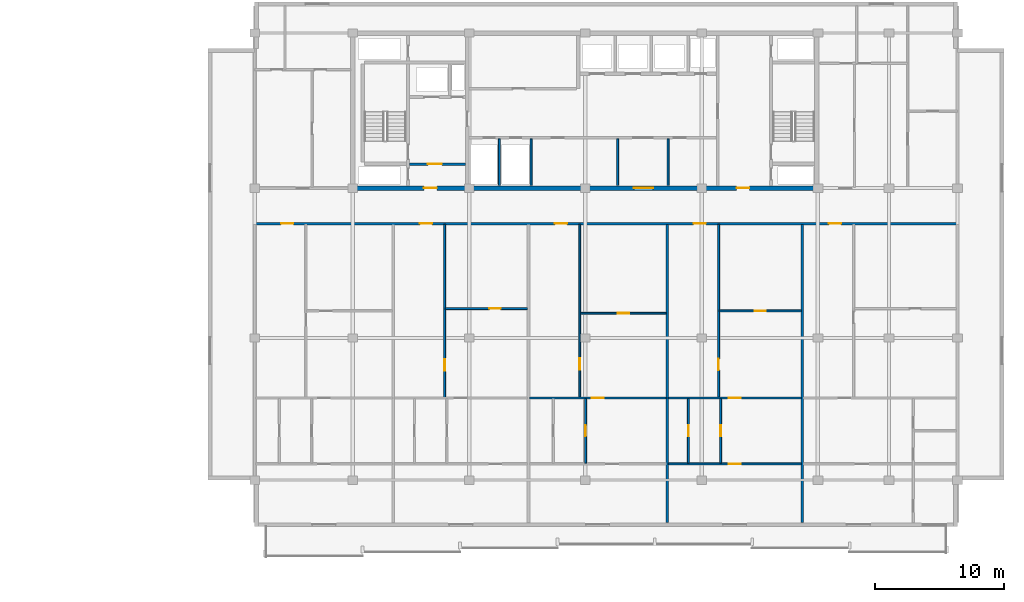
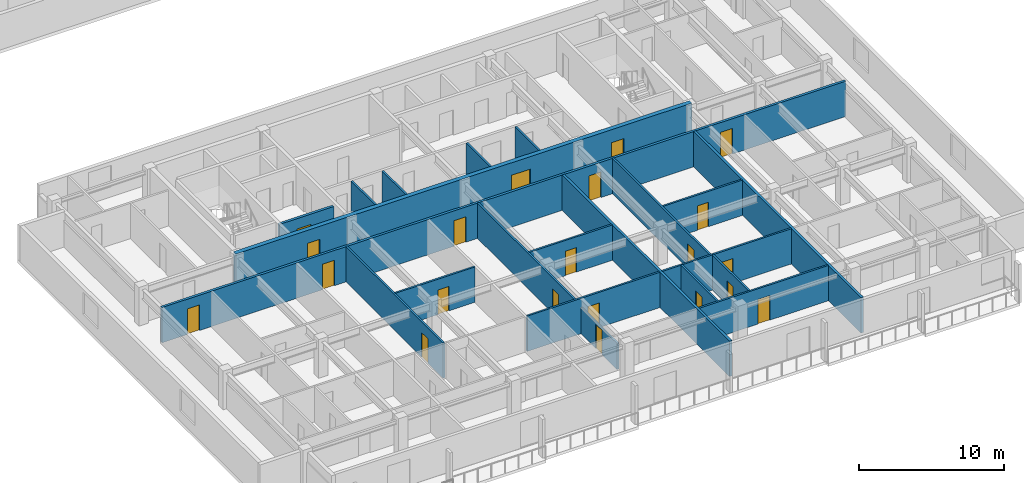
# One storey, part 5 of 21: 21 doors, 21 walls, 21 openings.
"""IFC4 building model written with IfcOpenShell, lengths in metres."""

from ifc_helpers import new_model, si_unit, direction, frame, frame_2d, origin, place, context, subcontext, project, spatial, rectangle, extrude, material, layer, layer_set, type_object, element, fill, save


model = new_model("IFC4")

# Units and contexts
model_context = context("Model", 3, precision=1e-05, world=origin(), true_north=direction((0.0, 1.0)))
body_context = subcontext(model_context, "Body", "Model", "MODEL_VIEW")
ifc_project = project(units=[si_unit("LENGTHUNIT", "METRE"), si_unit("AREAUNIT", "SQUARE_METRE"), si_unit("VOLUMEUNIT", "CUBIC_METRE"), si_unit("PLANEANGLEUNIT", "RADIAN"), si_unit("MASSUNIT", "GRAM", prefix="KILO")], contexts=[model_context])

# Site, building, storey
site_placement = place(None, origin())
site = spatial("IfcSite", under=ifc_project, at=site_placement, CompositionType="ELEMENT")
building_placement = place(site_placement, origin())
building = spatial("IfcBuilding", under=site, at=building_placement, Name="Korimba Cascade Residences", CompositionType="ELEMENT")
storey_placement = place(building_placement, frame((0.0, 0.0, 175.10009765625)))
storey = spatial("IfcBuildingStorey", under=building, at=storey_placement, Name="L50", CompositionType="ELEMENT", Elevation=175.10009765625)

# Wall, openings, doors
ifc_material_1 = material(Name="Concrete C65/80", Category="concrete")
ifc_layer_1 = layer(ifc_material_1, 0.35009765625)
ifc_layer_set_1 = layer_set([ifc_layer_1], Name="Concrete C65/80")
wall_type_1 = type_object("IfcWallType", Name="WAL-CORE-350", PredefinedType="SHEAR", material=ifc_layer_set_1)
wall_1_placement = place(storey_placement, frame((81.925048828125, 18.39990234375, 0.0), z_axis=(0.0, 0.0, 1.0), x_axis=(1.0, 0.0, 0.0)))
wall_1 = element("IfcWall", 1, at=wall_1_placement, inside=storey, type_object=wall_type_1, Name="L50 Core Shear Wall CW-L50-T2-S", PredefinedType="SHEAR", context=body_context, shape_type="SweptSolid", body=[
    extrude(rectangle(XDim=36.264892578125, YDim=0.35009765625, at=frame_2d((18.13232421875, 0.0))), origin(), (0.0, 0.0, 1.0), 3.25),
])
opening_1_placement = place(wall_1_placement, frame((5.675048828125, 0.0, 0.0)))
opening_1 = element("IfcOpeningElement", 2, at=opening_1_placement, cuts=wall_1, Name="Opening D-FD5", PredefinedType="OPENING", context=body_context, shape_type="SweptSolid", body=[
    extrude(rectangle(XDim=1.0, YDim=2.14990234375, at=frame_2d((0.5, 1.074951171875))), frame((0.0, 0.18505859375, 0.0), z_axis=(0.0, -1.0, 0.0), x_axis=(1.0, 0.0, 0.0)), (0.0, 0.0, 1.0), 0.3701171875),
])
opening_2_placement = place(wall_1_placement, frame((21.925048828125, 0.0, 0.0)))
opening_2 = element("IfcOpeningElement", 3, at=opening_2_placement, cuts=wall_1, Name="Opening D-FD8", PredefinedType="OPENING", context=body_context, shape_type="SweptSolid", body=[
    extrude(rectangle(XDim=1.5, YDim=2.199951171875, at=frame_2d((0.75, 1.10009765625))), frame((0.0, 0.18505859375, 0.0), z_axis=(0.0, -1.0, 0.0), x_axis=(1.0, 0.0, 0.0)), (0.0, 0.0, 1.0), 0.3701171875),
])
opening_3_placement = place(wall_1_placement, frame((29.875, 0.0, 0.0)))
opening_3 = element("IfcOpeningElement", 4, at=opening_3_placement, cuts=wall_1, Name="Opening D-FD5", PredefinedType="OPENING", context=body_context, shape_type="SweptSolid", body=[
    extrude(rectangle(XDim=1.0, YDim=2.14990234375, at=frame_2d((0.5, 1.074951171875))), frame((0.0, 0.18505859375, 0.0), z_axis=(0.0, -1.0, 0.0), x_axis=(1.0, 0.0, 0.0)), (0.0, 0.0, 1.0), 0.3701171875),
])
ifc_material_2 = material(Name="Fire-Rated Acoustic Timber Vestibule Door", Category="wood")
door_type_1 = type_object("IfcDoorType", Name="DR-FD90-1000", OperationType="NOTDEFINED", PredefinedType="DOOR", material=ifc_material_2)
door_1_placement = place(opening_1_placement, origin())
door_1 = element("IfcDoor", 5, at=door_1_placement, inside=storey, type_object=door_type_1, Name="L50 T2 West Core Vestibule Fire Door", OperationType="SINGLE_SWING_RIGHT", OverallHeight=2.14990234375, OverallWidth=1.0, PredefinedType="DOOR", context=body_context, shape_type="SweptSolid", body=[
    extrude(rectangle(XDim=1.0, YDim=2.14990234375, at=frame_2d((0.5, 1.074951171875))), frame((0.0, 0.02490234375, 0.0), z_axis=(0.0, -1.0, 0.0), x_axis=(1.0, 0.0, 0.0)), (0.0, 0.0, 1.0), 0.050048828125),
])
fill(opening_1, door_1)
door_2_placement = place(opening_3_placement, origin())
door_2 = element("IfcDoor", 6, at=door_2_placement, inside=storey, type_object=door_type_1, Name="L50 T2 East Stair Vestibule Fire Door", OperationType="SINGLE_SWING_LEFT", OverallHeight=2.14990234375, OverallWidth=1.0, PredefinedType="DOOR", context=body_context, shape_type="SweptSolid", body=[
    extrude(rectangle(XDim=1.0, YDim=2.14990234375, at=frame_2d((0.5, 1.074951171875))), frame((0.0, 0.02490234375, 0.0), z_axis=(0.0, -1.0, 0.0), x_axis=(1.0, 0.0, 0.0)), (0.0, 0.0, 1.0), 0.050048828125),
])
fill(opening_3, door_2)
ifc_material_3 = material(Name="Fire-Rated Glazed Lift Lobby Double Door", Category="glass")
door_type_2 = type_object("IfcDoorType", Name="DR-FD90-1500", OperationType="NOTDEFINED", PredefinedType="DOOR", material=ifc_material_3)
door_3_placement = place(opening_2_placement, origin())
door_3 = element("IfcDoor", 7, at=door_3_placement, inside=storey, type_object=door_type_2, Name="L50 T2 Lift Lobby Fire Door", OperationType="DOUBLE_DOOR_SINGLE_SWING", OverallHeight=2.199951171875, OverallWidth=1.5, PredefinedType="DOOR", context=body_context, shape_type="SweptSolid", body=[
    extrude(rectangle(XDim=1.5, YDim=2.199951171875, at=frame_2d((0.75, 1.10009765625))), frame((0.0, 0.02490234375, 0.0), z_axis=(0.0, -1.0, 0.0), x_axis=(1.0, 0.0, 0.0)), (0.0, 0.0, 1.0), 0.050048828125),
])
fill(opening_2, door_3)

# Walls
ifc_material_4 = material(Name="Precast concrete C40/50", Category="concrete")
ifc_layer_2 = layer(ifc_material_4, 0.199951171875)
ifc_layer_set_2 = layer_set([ifc_layer_2], Name="Precast concrete C40/50")
wall_type_2 = type_object("IfcWallType", Name="WAL-IT-200", PredefinedType="PARTITIONING", material=ifc_layer_set_2)
for number, where, z_axis, x_axis, name in (
    (8, (106.436767578125, -7.5, 0.0), (0.0, 0.0, 1.0), (0.0, 1.0, 0.0), "L50 Partition Wall WAL-L50-T2-DEM-3"),
    (9, (116.891845703125, -7.5, 0.0), (0.0, 0.0, 1.0), (0.0, 1.0, 0.0), "L50 Partition Wall WAL-L50-T2-DEM-4"),
):
    element("IfcWall", number, at=place(storey_placement, frame(where, z_axis=z_axis, x_axis=x_axis)), inside=storey, type_object=wall_type_2, Name=name, PredefinedType="PARTITIONING", context=body_context, shape_type="SweptSolid", body=[
        extrude(rectangle(XDim=23.070068359375, YDim=0.199951171875, at=frame_2d((11.53515625, 0.0))), origin(), (0.0, 0.0, 1.0), 2.969970703125),
    ])

# Wall, openings, doors
wall_2_placement = place(storey_placement, frame((74.5, 15.64990234375, 0.0), z_axis=(0.0, 0.0, 1.0), x_axis=(1.0, 0.0, 0.0)))
wall_2 = element("IfcWall", 10, at=wall_2_placement, inside=storey, type_object=wall_type_2, Name="L50 Partition Wall WAL-L50-T2-CORS", PredefinedType="PARTITIONING", context=body_context, shape_type="SweptSolid", body=[
    extrude(rectangle(XDim=54.39990234375, YDim=0.199951171875, at=frame_2d((27.199951171875, 0.0))), origin(), (0.0, 0.0, 1.0), 2.969970703125),
])
opening_4_placement = place(wall_2_placement, frame((2.044921875, 0.0, 0.0)))
opening_4 = element("IfcOpeningElement", 11, at=opening_4_placement, cuts=wall_2, Name="Opening D-UN1", PredefinedType="OPENING", context=body_context, shape_type="SweptSolid", body=[
    extrude(rectangle(XDim=0.949951171875, YDim=2.14990234375, at=frame_2d((0.47509765625, 1.074951171875))), frame((0.0, 0.10986328125, 0.0), z_axis=(0.0, -1.0, 0.0), x_axis=(1.0, 0.0, 0.0)), (0.0, 0.0, 1.0), 0.219970703125),
])
opening_5_placement = place(wall_2_placement, frame((12.785888671875, 0.0, 0.0)))
opening_5 = element("IfcOpeningElement", 12, at=opening_5_placement, cuts=wall_2, Name="Opening D-UN1", PredefinedType="OPENING", context=body_context, shape_type="SweptSolid", body=[
    extrude(rectangle(XDim=0.949951171875, YDim=2.14990234375, at=frame_2d((0.47509765625, 1.074951171875))), frame((0.0, 0.10986328125, 0.0), z_axis=(0.0, -1.0, 0.0), x_axis=(1.0, 0.0, 0.0)), (0.0, 0.0, 1.0), 0.219970703125),
])
opening_6_placement = place(wall_2_placement, frame((23.240966796875, 0.0, 0.0)))
opening_6 = element("IfcOpeningElement", 13, at=opening_6_placement, cuts=wall_2, Name="Opening D-UN1", PredefinedType="OPENING", context=body_context, shape_type="SweptSolid", body=[
    extrude(rectangle(XDim=0.949951171875, YDim=2.14990234375, at=frame_2d((0.47509765625, 1.074951171875))), frame((0.0, 0.10986328125, 0.0), z_axis=(0.0, -1.0, 0.0), x_axis=(1.0, 0.0, 0.0)), (0.0, 0.0, 1.0), 0.219970703125),
])
opening_7_placement = place(wall_2_placement, frame((33.981689453125, 0.0, 0.0)))
opening_7 = element("IfcOpeningElement", 14, at=opening_7_placement, cuts=wall_2, Name="Opening D-UN1", PredefinedType="OPENING", context=body_context, shape_type="SweptSolid", body=[
    extrude(rectangle(XDim=0.949951171875, YDim=2.14990234375, at=frame_2d((0.47509765625, 1.074951171875))), frame((0.0, 0.10986328125, 0.0), z_axis=(0.0, -1.0, 0.0), x_axis=(1.0, 0.0, 0.0)), (0.0, 0.0, 1.0), 0.219970703125),
])
opening_8_placement = place(wall_2_placement, frame((44.436767578125, 0.0, 0.0)))
opening_8 = element("IfcOpeningElement", 15, at=opening_8_placement, cuts=wall_2, Name="Opening D-UN1", PredefinedType="OPENING", context=body_context, shape_type="SweptSolid", body=[
    extrude(rectangle(XDim=0.949951171875, YDim=2.14990234375, at=frame_2d((0.47509765625, 1.074951171875))), frame((0.0, 0.10986328125, 0.0), z_axis=(0.0, -1.0, 0.0), x_axis=(1.0, 0.0, 0.0)), (0.0, 0.0, 1.0), 0.219970703125),
])
ifc_material_5 = material(Name="Fire-Rated Hardwood Apartment Entrance Door", Category="wood")
door_type_3 = type_object("IfcDoorType", Name="DR-FD60-950", OperationType="NOTDEFINED", PredefinedType="DOOR", material=ifc_material_5)
door_4_placement = place(opening_4_placement, origin())
door_4 = element("IfcDoor", 16, at=door_4_placement, inside=storey, type_object=door_type_3, Name="Unit L50-T2-U01 Entrance Door", OperationType="SINGLE_SWING_LEFT", OverallHeight=2.14990234375, OverallWidth=0.949951171875, PredefinedType="DOOR", context=body_context, shape_type="SweptSolid", body=[
    extrude(rectangle(XDim=0.949951171875, YDim=2.14990234375, at=frame_2d((0.47509765625, 1.074951171875))), frame((0.0, 0.02490234375, 0.0), z_axis=(0.0, -1.0, 0.0), x_axis=(1.0, 0.0, 0.0)), (0.0, 0.0, 1.0), 0.050048828125),
])
fill(opening_4, door_4)
door_5_placement = place(opening_5_placement, origin())
door_5 = element("IfcDoor", 17, at=door_5_placement, inside=storey, type_object=door_type_3, Name="Unit L50-T2-U02 Entrance Door", OperationType="SINGLE_SWING_RIGHT", OverallHeight=2.14990234375, OverallWidth=0.949951171875, PredefinedType="DOOR", context=body_context, shape_type="SweptSolid", body=[
    extrude(rectangle(XDim=0.949951171875, YDim=2.14990234375, at=frame_2d((0.47509765625, 1.074951171875))), frame((0.0, 0.02490234375, 0.0), z_axis=(0.0, -1.0, 0.0), x_axis=(1.0, 0.0, 0.0)), (0.0, 0.0, 1.0), 0.050048828125),
])
fill(opening_5, door_5)
door_6_placement = place(opening_6_placement, origin())
door_6 = element("IfcDoor", 18, at=door_6_placement, inside=storey, type_object=door_type_3, Name="Unit L50-T2-U03 Entrance Door", OperationType="SINGLE_SWING_LEFT", OverallHeight=2.14990234375, OverallWidth=0.949951171875, PredefinedType="DOOR", context=body_context, shape_type="SweptSolid", body=[
    extrude(rectangle(XDim=0.949951171875, YDim=2.14990234375, at=frame_2d((0.47509765625, 1.074951171875))), frame((0.0, 0.02490234375, 0.0), z_axis=(0.0, -1.0, 0.0), x_axis=(1.0, 0.0, 0.0)), (0.0, 0.0, 1.0), 0.050048828125),
])
fill(opening_6, door_6)
door_7_placement = place(opening_7_placement, origin())
door_7 = element("IfcDoor", 19, at=door_7_placement, inside=storey, type_object=door_type_3, Name="Unit L50-T2-U04 Entrance Door", OperationType="SINGLE_SWING_RIGHT", OverallHeight=2.14990234375, OverallWidth=0.949951171875, PredefinedType="DOOR", context=body_context, shape_type="SweptSolid", body=[
    extrude(rectangle(XDim=0.949951171875, YDim=2.14990234375, at=frame_2d((0.47509765625, 1.074951171875))), frame((0.0, 0.02490234375, 0.0), z_axis=(0.0, -1.0, 0.0), x_axis=(1.0, 0.0, 0.0)), (0.0, 0.0, 1.0), 0.050048828125),
])
fill(opening_7, door_7)
door_8_placement = place(opening_8_placement, origin())
door_8 = element("IfcDoor", 20, at=door_8_placement, inside=storey, type_object=door_type_3, Name="Unit L50-T2-U05 Entrance Door", OperationType="SINGLE_SWING_LEFT", OverallHeight=2.14990234375, OverallWidth=0.949951171875, PredefinedType="DOOR", context=body_context, shape_type="SweptSolid", body=[
    extrude(rectangle(XDim=0.949951171875, YDim=2.14990234375, at=frame_2d((0.47509765625, 1.074951171875))), frame((0.0, 0.02490234375, 0.0), z_axis=(0.0, -1.0, 0.0), x_axis=(1.0, 0.0, 0.0)), (0.0, 0.0, 1.0), 0.050048828125),
])
fill(opening_8, door_8)

# Walls
ifc_material_6 = material(Name="Insulated Acoustic Stud Partition", Category="gypsum")
ifc_layer_3 = layer(ifc_material_6, 0.14990234375)
ifc_layer_set_3 = layer_set([ifc_layer_3], Name="Insulated Acoustic Stud Partition")
wall_type_3 = type_object("IfcWallType", Name="WAL-PART-150", PredefinedType="PARTITIONING", material=ifc_layer_set_3)
for number, where, z_axis, x_axis, name in (
    (21, (93.449951171875, 18.60009765625, 0.0), (0.0, 0.0, 1.0), (0.0, 1.0, 0.0), "L50 Partition Wall CW-L50-T2-ERDIV"),
    (22, (95.89990234375, 18.60009765625, 0.0), (0.0, 0.0, 1.0), (0.0, 1.0, 0.0), "L50 Partition Wall CW-L50-T2-PRDIV"),
    (23, (102.60009765625, 18.60009765625, 0.0), (0.0, 0.0, 1.0), (0.0, 1.0, 0.0), "L50 Partition Wall CW-L50-T2-THW"),
    (24, (106.5, 18.60009765625, 0.0), (0.0, 0.0, 1.0), (0.0, 1.0, 0.0), "L50 Partition Wall CW-L50-T2-THE"),
):
    element("IfcWall", number, at=place(storey_placement, frame(where, z_axis=z_axis, x_axis=x_axis)), inside=storey, type_object=wall_type_3, Name=name, PredefinedType="PARTITIONING", context=body_context, shape_type="SweptSolid", body=[
        extrude(rectangle(XDim=3.599853515625, YDim=0.14990234375, at=frame_2d((1.7998046875, 0.0))), origin(), (0.0, 0.0, 1.0), 2.969970703125),
    ])

# Wall, opening, door
wall_3_placement = place(storey_placement, frame((89.27099609375, 9.070068359375, 0.0), z_axis=(0.0, 0.0, 1.0), x_axis=(1.0, 0.0, 0.0)))
wall_3 = element("IfcWall", 25, at=wall_3_placement, inside=storey, type_object=wall_type_3, Name="L50 Partition Wall WAL-L50-T2-U02-FMH", PredefinedType="PARTITIONING", context=body_context, shape_type="SweptSolid", body=[
    extrude(rectangle(XDim=6.344970703125, YDim=0.14990234375, at=frame_2d((3.17236328125, 0.0))), origin(), (0.0, 0.0, 1.0), 2.969970703125),
])
opening_9_placement = place(wall_3_placement, frame((3.399658203125, 0.0, 0.0)))
opening_9 = element("IfcOpeningElement", 26, at=opening_9_placement, cuts=wall_3, Name="Opening D-IN2", PredefinedType="OPENING", context=body_context, shape_type="SweptSolid", body=[
    extrude(rectangle(XDim=0.8798828125, YDim=2.06005859375, at=frame_2d((0.43994140625, 1.030029296875))), frame((0.0, 0.0849609375, 0.0), z_axis=(0.0, -1.0, 0.0), x_axis=(1.0, 0.0, 0.0)), (0.0, 0.0, 1.0), 0.169921875),
])
ifc_material_7 = material(Name="Acoustic Timber Bedroom Door", Category="wood")
door_type_4 = type_object("IfcDoorType", Name="DR-INT-880", OperationType="NOTDEFINED", PredefinedType="DOOR", material=ifc_material_7)
door_9_placement = place(opening_9_placement, origin())
door_9 = element("IfcDoor", 27, at=door_9_placement, inside=storey, type_object=door_type_4, Name="L50-T2-U02 Library Salon Door", OperationType="SINGLE_SWING_RIGHT", OverallHeight=2.06005859375, OverallWidth=0.8798828125, PredefinedType="DOOR", context=body_context, shape_type="SweptSolid", body=[
    extrude(rectangle(XDim=0.8798828125, YDim=2.06005859375, at=frame_2d((0.43994140625, 1.030029296875))), frame((0.0, 0.02490234375, 0.0), z_axis=(0.0, -1.0, 0.0), x_axis=(1.0, 0.0, 0.0)), (0.0, 0.0, 1.0), 0.050048828125),
])
fill(opening_9, door_9)

wall_4_placement = place(storey_placement, frame((89.2109375, 2.18994140625, 0.0), z_axis=(0.0, 0.0, 1.0), x_axis=(0.0, 1.0, 0.0)))
wall_4 = element("IfcWall", 28, at=wall_4_placement, inside=storey, type_object=wall_type_3, Name="L50 Partition Wall WAL-L50-T2-U02-FV", PredefinedType="PARTITIONING", context=body_context, shape_type="SweptSolid", body=[
    extrude(rectangle(XDim=13.400146484375, YDim=0.14990234375, at=frame_2d((6.7001953125, 0.0))), origin(), (0.0, 0.0, 1.0), 2.969970703125),
])
opening_10_placement = place(wall_4_placement, frame((2.077880859375, 0.0, 0.0)))
opening_10 = element("IfcOpeningElement", 29, at=opening_10_placement, cuts=wall_4, Name="Opening D-IN2", PredefinedType="OPENING", context=body_context, shape_type="SweptSolid", body=[
    extrude(rectangle(XDim=0.8798828125, YDim=2.06005859375, at=frame_2d((0.43994140625, 1.030029296875))), frame((0.0, 0.0849609375, 0.0), z_axis=(0.0, -1.0, 0.0), x_axis=(1.0, 0.0, 0.0)), (0.0, 0.0, 1.0), 0.169921875),
])
door_10_placement = place(opening_10_placement, origin())
door_10 = element("IfcDoor", 30, at=door_10_placement, inside=storey, type_object=door_type_4, Name="L50-T2-U02 Media Lounge Door", OperationType="SINGLE_SWING_LEFT", OverallHeight=2.06005859375, OverallWidth=0.8798828125, PredefinedType="DOOR", context=body_context, shape_type="SweptSolid", body=[
    extrude(rectangle(XDim=0.8798828125, YDim=2.06005859375, at=frame_2d((0.43994140625, 1.030029296875))), frame((0.0, 0.02490234375, 0.0), z_axis=(0.0, -1.0, 0.0), x_axis=(1.0, 0.0, 0.0)), (0.0, 0.0, 1.0), 0.050048828125),
])
fill(opening_10, door_10)

wall_5_placement = place(storey_placement, frame((99.725830078125, 8.7099609375, 0.0), z_axis=(0.0, 0.0, 1.0), x_axis=(1.0, 0.0, 0.0)))
wall_5 = element("IfcWall", 31, at=wall_5_placement, inside=storey, type_object=wall_type_3, Name="L50 Partition Wall WAL-L50-T2-U03-FMH", PredefinedType="PARTITIONING", context=body_context, shape_type="SweptSolid", body=[
    extrude(rectangle(XDim=6.630859375, YDim=0.14990234375, at=frame_2d((3.3154296875, 0.0))), origin(), (0.0, 0.0, 1.0), 2.969970703125),
])
opening_11_placement = place(wall_5_placement, frame((2.87548828125, 0.0, 0.0)))
opening_11 = element("IfcOpeningElement", 32, at=opening_11_placement, cuts=wall_5, Name="Opening D-IN2", PredefinedType="OPENING", context=body_context, shape_type="SweptSolid", body=[
    extrude(rectangle(XDim=0.8798828125, YDim=2.06005859375, at=frame_2d((0.43994140625, 1.030029296875))), frame((0.0, 0.0849609375, 0.0), z_axis=(0.0, -1.0, 0.0), x_axis=(1.0, 0.0, 0.0)), (0.0, 0.0, 1.0), 0.169921875),
])
door_11_placement = place(opening_11_placement, origin())
door_11 = element("IfcDoor", 33, at=door_11_placement, inside=storey, type_object=door_type_4, Name="L50-T2-U03 Library Salon Door", OperationType="SINGLE_SWING_RIGHT", OverallHeight=2.06005859375, OverallWidth=0.8798828125, PredefinedType="DOOR", context=body_context, shape_type="SweptSolid", body=[
    extrude(rectangle(XDim=0.8798828125, YDim=2.06005859375, at=frame_2d((0.43994140625, 1.030029296875))), frame((0.0, 0.02490234375, 0.0), z_axis=(0.0, -1.0, 0.0), x_axis=(1.0, 0.0, 0.0)), (0.0, 0.0, 1.0), 0.050048828125),
])
fill(opening_11, door_11)

wall_6_placement = place(storey_placement, frame((99.666015625, 2.18994140625, 0.0), z_axis=(0.0, 0.0, 1.0), x_axis=(0.0, 1.0, 0.0)))
wall_6 = element("IfcWall", 34, at=wall_6_placement, inside=storey, type_object=wall_type_3, Name="L50 Partition Wall WAL-L50-T2-U03-FV", PredefinedType="PARTITIONING", context=body_context, shape_type="SweptSolid", body=[
    extrude(rectangle(XDim=13.400146484375, YDim=0.14990234375, at=frame_2d((6.7001953125, 0.0))), origin(), (0.0, 0.0, 1.0), 2.969970703125),
])
opening_12_placement = place(wall_6_placement, frame((2.164306640625, 0.0, 0.0)))
opening_12 = element("IfcOpeningElement", 35, at=opening_12_placement, cuts=wall_6, Name="Opening D-IN2", PredefinedType="OPENING", context=body_context, shape_type="SweptSolid", body=[
    extrude(rectangle(XDim=0.8798828125, YDim=2.06005859375, at=frame_2d((0.43994140625, 1.030029296875))), frame((0.0, 0.0849609375, 0.0), z_axis=(0.0, -1.0, 0.0), x_axis=(1.0, 0.0, 0.0)), (0.0, 0.0, 1.0), 0.169921875),
])
door_12_placement = place(opening_12_placement, origin())
door_12 = element("IfcDoor", 36, at=door_12_placement, inside=storey, type_object=door_type_4, Name="L50-T2-U03 Media Lounge Door", OperationType="SINGLE_SWING_LEFT", OverallHeight=2.06005859375, OverallWidth=0.8798828125, PredefinedType="DOOR", context=body_context, shape_type="SweptSolid", body=[
    extrude(rectangle(XDim=0.8798828125, YDim=2.06005859375, at=frame_2d((0.43994140625, 1.030029296875))), frame((0.0, 0.02490234375, 0.0), z_axis=(0.0, -1.0, 0.0), x_axis=(1.0, 0.0, 0.0)), (0.0, 0.0, 1.0), 0.050048828125),
])
fill(opening_12, door_12)

wall_7_placement = place(storey_placement, frame((100.11669921875, -2.889892578125, 0.0), z_axis=(0.0, 0.0, 1.0), x_axis=(0.0, 1.0, 0.0)))
wall_7 = element("IfcWall", 37, at=wall_7_placement, inside=storey, type_object=wall_type_3, Name="L50 Partition Wall WAL-L50-T2-U03-BM", PredefinedType="PARTITIONING", context=body_context, shape_type="SweptSolid", body=[
    extrude(rectangle(XDim=5.0, YDim=0.14990234375, at=frame_2d((2.5, 0.0))), origin(), (0.0, 0.0, 1.0), 2.2001953125),
])
opening_13_placement = place(wall_7_placement, frame((2.080078125, 0.0, 0.0)))
opening_13 = element("IfcOpeningElement", 38, at=opening_13_placement, cuts=wall_7, Name="Opening D-BT1", PredefinedType="OPENING", context=body_context, shape_type="SweptSolid", body=[
    extrude(rectangle(XDim=0.840087890625, YDim=2.0400390625, at=frame_2d((0.419921875, 1.02001953125))), frame((0.0, 0.0849609375, 0.0), z_axis=(0.0, -1.0, 0.0), x_axis=(1.0, 0.0, 0.0)), (0.0, 0.0, 1.0), 0.169921875),
])
ifc_material_8 = material(Name="Moisture-Resistant Bathroom Timber Door", Category="wood")
door_type_5 = type_object("IfcDoorType", Name="DR-INT-850", OperationType="NOTDEFINED", PredefinedType="DOOR", material=ifc_material_8)
door_13_placement = place(opening_13_placement, origin())
door_13 = element("IfcDoor", 39, at=door_13_placement, inside=storey, type_object=door_type_5, Name="L50-T2-U03 Bathroom Door", OperationType="SINGLE_SWING_LEFT", OverallHeight=2.0400390625, OverallWidth=0.840087890625, PredefinedType="DOOR", context=body_context, shape_type="SweptSolid", body=[
    extrude(rectangle(XDim=0.840087890625, YDim=2.0400390625, at=frame_2d((0.419921875, 1.02001953125))), frame((0.0, 0.02490234375, 0.0), z_axis=(0.0, -1.0, 0.0), x_axis=(1.0, 0.0, 0.0)), (0.0, 0.0, 1.0), 0.050048828125),
])
fill(opening_13, door_13)

wall_8_placement = place(storey_placement, frame((95.77587890625, 2.14990234375, 0.0), z_axis=(0.0, 0.0, 1.0), x_axis=(1.0, 0.0, 0.0)))
wall_8 = element("IfcWall", 40, at=wall_8_placement, inside=storey, type_object=wall_type_3, Name="L50 Partition Wall WAL-L50-T2-U03-MW", PredefinedType="PARTITIONING", context=body_context, shape_type="SweptSolid", body=[
    extrude(rectangle(XDim=10.580810546875, YDim=0.14990234375, at=frame_2d((5.29052734375, 0.0))), origin(), (0.0, 0.0, 1.0), 2.969970703125),
])
opening_14_placement = place(wall_8_placement, frame((4.83056640625, 0.0, 0.0)))
opening_14 = element("IfcOpeningElement", 41, at=opening_14_placement, cuts=wall_8, Name="Opening D-IN1", PredefinedType="OPENING", context=body_context, shape_type="SweptSolid", body=[
    extrude(rectangle(XDim=0.919921875, YDim=2.080078125, at=frame_2d((0.4599609375, 1.0400390625))), frame((0.0, 0.0849609375, 0.0), z_axis=(0.0, -1.0, 0.0), x_axis=(1.0, 0.0, 0.0)), (0.0, 0.0, 1.0), 0.169921875),
])
ifc_material_9 = material(Name="Acoustic Timber Living Door", Category="wood")
door_type_6 = type_object("IfcDoorType", Name="DR-INT-920", OperationType="NOTDEFINED", PredefinedType="DOOR", material=ifc_material_9)
door_14_placement = place(opening_14_placement, origin())
door_14 = element("IfcDoor", 42, at=door_14_placement, inside=storey, type_object=door_type_6, Name="L50-T2-U03 Studio Kitchen Door", OperationType="SINGLE_SWING_RIGHT", OverallHeight=2.080078125, OverallWidth=0.919921875, PredefinedType="DOOR", context=body_context, shape_type="SweptSolid", body=[
    extrude(rectangle(XDim=0.919921875, YDim=2.080078125, at=frame_2d((0.4599609375, 1.0400390625))), frame((0.0, 0.02490234375, 0.0), z_axis=(0.0, -1.0, 0.0), x_axis=(1.0, 0.0, 0.0)), (0.0, 0.0, 1.0), 0.050048828125),
])
fill(opening_14, door_14)

wall_9_placement = place(storey_placement, frame((110.466796875, 8.889892578125, 0.0), z_axis=(0.0, 0.0, 1.0), x_axis=(1.0, 0.0, 0.0)))
wall_9 = element("IfcWall", 43, at=wall_9_placement, inside=storey, type_object=wall_type_3, Name="L50 Partition Wall WAL-L50-T2-U04-FMH", PredefinedType="PARTITIONING", context=body_context, shape_type="SweptSolid", body=[
    extrude(rectangle(XDim=6.344970703125, YDim=0.14990234375, at=frame_2d((3.17236328125, 0.0))), origin(), (0.0, 0.0, 1.0), 2.969970703125),
])
opening_15_placement = place(wall_9_placement, frame((2.732421875, 0.0, 0.0)))
opening_15 = element("IfcOpeningElement", 44, at=opening_15_placement, cuts=wall_9, Name="Opening D-IN2", PredefinedType="OPENING", context=body_context, shape_type="SweptSolid", body=[
    extrude(rectangle(XDim=0.8798828125, YDim=2.06005859375, at=frame_2d((0.43994140625, 1.030029296875))), frame((0.0, 0.0849609375, 0.0), z_axis=(0.0, -1.0, 0.0), x_axis=(1.0, 0.0, 0.0)), (0.0, 0.0, 1.0), 0.169921875),
])
door_15_placement = place(opening_15_placement, origin())
door_15 = element("IfcDoor", 45, at=door_15_placement, inside=storey, type_object=door_type_4, Name="L50-T2-U04 Library Salon Door", OperationType="SINGLE_SWING_RIGHT", OverallHeight=2.06005859375, OverallWidth=0.8798828125, PredefinedType="DOOR", context=body_context, shape_type="SweptSolid", body=[
    extrude(rectangle(XDim=0.8798828125, YDim=2.06005859375, at=frame_2d((0.43994140625, 1.030029296875))), frame((0.0, 0.02490234375, 0.0), z_axis=(0.0, -1.0, 0.0), x_axis=(1.0, 0.0, 0.0)), (0.0, 0.0, 1.0), 0.050048828125),
])
fill(opening_15, door_15)

wall_10_placement = place(storey_placement, frame((110.40673828125, 2.18994140625, 0.0), z_axis=(0.0, 0.0, 1.0), x_axis=(0.0, 1.0, 0.0)))
wall_10 = element("IfcWall", 46, at=wall_10_placement, inside=storey, type_object=wall_type_3, Name="L50 Partition Wall WAL-L50-T2-U04-FV", PredefinedType="PARTITIONING", context=body_context, shape_type="SweptSolid", body=[
    extrude(rectangle(XDim=13.400146484375, YDim=0.14990234375, at=frame_2d((6.7001953125, 0.0))), origin(), (0.0, 0.0, 1.0), 2.969970703125),
])
opening_16_placement = place(wall_10_placement, frame((2.124755859375, 0.0, 0.0)))
opening_16 = element("IfcOpeningElement", 47, at=opening_16_placement, cuts=wall_10, Name="Opening D-IN2", PredefinedType="OPENING", context=body_context, shape_type="SweptSolid", body=[
    extrude(rectangle(XDim=0.8798828125, YDim=2.06005859375, at=frame_2d((0.43994140625, 1.030029296875))), frame((0.0, 0.0849609375, 0.0), z_axis=(0.0, -1.0, 0.0), x_axis=(1.0, 0.0, 0.0)), (0.0, 0.0, 1.0), 0.169921875),
])
door_16_placement = place(opening_16_placement, origin())
door_16 = element("IfcDoor", 48, at=door_16_placement, inside=storey, type_object=door_type_4, Name="L50-T2-U04 Media Lounge Door", OperationType="SINGLE_SWING_LEFT", OverallHeight=2.06005859375, OverallWidth=0.8798828125, PredefinedType="DOOR", context=body_context, shape_type="SweptSolid", body=[
    extrude(rectangle(XDim=0.8798828125, YDim=2.06005859375, at=frame_2d((0.43994140625, 1.030029296875))), frame((0.0, 0.02490234375, 0.0), z_axis=(0.0, -1.0, 0.0), x_axis=(1.0, 0.0, 0.0)), (0.0, 0.0, 1.0), 0.050048828125),
])
fill(opening_16, door_16)

wall_11_placement = place(storey_placement, frame((108.07177734375, -2.889892578125, 0.0), z_axis=(0.0, 0.0, 1.0), x_axis=(0.0, 1.0, 0.0)))
wall_11 = element("IfcWall", 49, at=wall_11_placement, inside=storey, type_object=wall_type_3, Name="L50 Partition Wall WAL-L50-T2-U04-CLS", PredefinedType="PARTITIONING", context=body_context, shape_type="SweptSolid", body=[
    extrude(rectangle(XDim=5.0, YDim=0.14990234375, at=frame_2d((2.5, 0.0))), origin(), (0.0, 0.0, 1.0), 2.969970703125),
])
opening_17_placement = place(wall_11_placement, frame((2.080078125, 0.0, 0.0)))
opening_17 = element("IfcOpeningElement", 50, at=opening_17_placement, cuts=wall_11, Name="Opening D-BT1", PredefinedType="OPENING", context=body_context, shape_type="SweptSolid", body=[
    extrude(rectangle(XDim=0.840087890625, YDim=2.0400390625, at=frame_2d((0.419921875, 1.02001953125))), frame((0.0, 0.0849609375, 0.0), z_axis=(0.0, -1.0, 0.0), x_axis=(1.0, 0.0, 0.0)), (0.0, 0.0, 1.0), 0.169921875),
])
door_17_placement = place(opening_17_placement, origin())
door_17 = element("IfcDoor", 51, at=door_17_placement, inside=storey, type_object=door_type_5, Name="L50-T2-U04 Closet Door", OperationType="SINGLE_SWING_RIGHT", OverallHeight=2.0400390625, OverallWidth=0.840087890625, PredefinedType="DOOR", context=body_context, shape_type="SweptSolid", body=[
    extrude(rectangle(XDim=0.840087890625, YDim=2.0400390625, at=frame_2d((0.419921875, 1.02001953125))), frame((0.0, 0.02490234375, 0.0), z_axis=(0.0, -1.0, 0.0), x_axis=(1.0, 0.0, 0.0)), (0.0, 0.0, 1.0), 0.050048828125),
])
fill(opening_17, door_17)

wall_12_placement = place(storey_placement, frame((110.57177734375, -2.889892578125, 0.0), z_axis=(0.0, 0.0, 1.0), x_axis=(0.0, 1.0, 0.0)))
wall_12 = element("IfcWall", 52, at=wall_12_placement, inside=storey, type_object=wall_type_3, Name="L50 Partition Wall WAL-L50-T2-U04-BM", PredefinedType="PARTITIONING", context=body_context, shape_type="SweptSolid", body=[
    extrude(rectangle(XDim=5.0, YDim=0.14990234375, at=frame_2d((2.5, 0.0))), origin(), (0.0, 0.0, 1.0), 2.969970703125),
])
opening_18_placement = place(wall_12_placement, frame((2.080078125, 0.0, 0.0)))
opening_18 = element("IfcOpeningElement", 53, at=opening_18_placement, cuts=wall_12, Name="Opening D-BT1", PredefinedType="OPENING", context=body_context, shape_type="SweptSolid", body=[
    extrude(rectangle(XDim=0.840087890625, YDim=2.0400390625, at=frame_2d((0.419921875, 1.02001953125))), frame((0.0, 0.0849609375, 0.0), z_axis=(0.0, -1.0, 0.0), x_axis=(1.0, 0.0, 0.0)), (0.0, 0.0, 1.0), 0.169921875),
])
door_18_placement = place(opening_18_placement, origin())
door_18 = element("IfcDoor", 54, at=door_18_placement, inside=storey, type_object=door_type_5, Name="L50-T2-U04 Bathroom Door", OperationType="SINGLE_SWING_LEFT", OverallHeight=2.0400390625, OverallWidth=0.840087890625, PredefinedType="DOOR", context=body_context, shape_type="SweptSolid", body=[
    extrude(rectangle(XDim=0.840087890625, YDim=2.0400390625, at=frame_2d((0.419921875, 1.02001953125))), frame((0.0, 0.02490234375, 0.0), z_axis=(0.0, -1.0, 0.0), x_axis=(1.0, 0.0, 0.0)), (0.0, 0.0, 1.0), 0.050048828125),
])
fill(opening_18, door_18)

wall_13_placement = place(storey_placement, frame((106.516845703125, 2.14990234375, 0.0), z_axis=(0.0, 0.0, 1.0), x_axis=(1.0, 0.0, 0.0)))
wall_13 = element("IfcWall", 55, at=wall_13_placement, inside=storey, type_object=wall_type_3, Name="L50 Partition Wall WAL-L50-T2-U04-MW", PredefinedType="PARTITIONING", context=body_context, shape_type="SweptSolid", body=[
    extrude(rectangle(XDim=10.294921875, YDim=0.14990234375, at=frame_2d((5.1474609375, 0.0))), origin(), (0.0, 0.0, 1.0), 2.969970703125),
])
opening_19_placement = place(wall_13_placement, frame((4.6875, 0.0, 0.0)))
opening_19 = element("IfcOpeningElement", 56, at=opening_19_placement, cuts=wall_13, Name="Opening D-IN1", PredefinedType="OPENING", context=body_context, shape_type="SweptSolid", body=[
    extrude(rectangle(XDim=0.919921875, YDim=2.080078125, at=frame_2d((0.4599609375, 1.0400390625))), frame((0.0, 0.0849609375, 0.0), z_axis=(0.0, -1.0, 0.0), x_axis=(1.0, 0.0, 0.0)), (0.0, 0.0, 1.0), 0.169921875),
])
door_19_placement = place(opening_19_placement, origin())
door_19 = element("IfcDoor", 57, at=door_19_placement, inside=storey, type_object=door_type_6, Name="L50-T2-U04 Studio Kitchen Door", OperationType="SINGLE_SWING_RIGHT", OverallHeight=2.080078125, OverallWidth=0.919921875, PredefinedType="DOOR", context=body_context, shape_type="SweptSolid", body=[
    extrude(rectangle(XDim=0.919921875, YDim=2.080078125, at=frame_2d((0.4599609375, 1.0400390625))), frame((0.0, 0.02490234375, 0.0), z_axis=(0.0, -1.0, 0.0), x_axis=(1.0, 0.0, 0.0)), (0.0, 0.0, 1.0), 0.050048828125),
])
fill(opening_19, door_19)

wall_14_placement = place(storey_placement, frame((106.516845703125, -2.949951171875, 0.0), z_axis=(0.0, 0.0, 1.0), x_axis=(1.0, 0.0, 0.0)))
wall_14 = element("IfcWall", 58, at=wall_14_placement, inside=storey, type_object=wall_type_3, Name="L50 Partition Wall WAL-L50-T2-U04-HZ", PredefinedType="PARTITIONING", context=body_context, shape_type="SweptSolid", body=[
    extrude(rectangle(XDim=10.294921875, YDim=0.14990234375, at=frame_2d((5.1474609375, 0.0))), origin(), (0.0, 0.0, 1.0), 2.969970703125),
])
opening_20_placement = place(wall_14_placement, frame((4.6875, 0.0, 0.0)))
opening_20 = element("IfcOpeningElement", 59, at=opening_20_placement, cuts=wall_14, Name="Opening D-IN1", PredefinedType="OPENING", context=body_context, shape_type="SweptSolid", body=[
    extrude(rectangle(XDim=0.919921875, YDim=2.080078125, at=frame_2d((0.4599609375, 1.0400390625))), frame((0.0, 0.0849609375, 0.0), z_axis=(0.0, -1.0, 0.0), x_axis=(1.0, 0.0, 0.0)), (0.0, 0.0, 1.0), 0.169921875),
])
door_20_placement = place(opening_20_placement, origin())
door_20 = element("IfcDoor", 60, at=door_20_placement, inside=storey, type_object=door_type_6, Name="L50-T2-U04 Studio Door", OperationType="SINGLE_SWING_LEFT", OverallHeight=2.080078125, OverallWidth=0.919921875, PredefinedType="DOOR", context=body_context, shape_type="SweptSolid", body=[
    extrude(rectangle(XDim=0.919921875, YDim=2.080078125, at=frame_2d((0.4599609375, 1.0400390625))), frame((0.0, 0.02490234375, 0.0), z_axis=(0.0, -1.0, 0.0), x_axis=(1.0, 0.0, 0.0)), (0.0, 0.0, 1.0), 0.050048828125),
])
fill(opening_20, door_20)

ifc_material_10 = material(Name="Concrete C40/50", Category="concrete")
ifc_layer_4 = layer(ifc_material_10, 0.199951171875)
ifc_layer_set_4 = layer_set([ifc_layer_4], Name="Concrete C40/50")
wall_type_4 = type_object("IfcWallType", Name="WAL-PART-200", PredefinedType="PARTITIONING", material=ifc_layer_set_4)
wall_15_placement = place(storey_placement, frame((86.5, 20.25, 0.0), z_axis=(0.0, 0.0, 1.0), x_axis=(1.0, 0.0, 0.0)))
wall_15 = element("IfcWall", 61, at=wall_15_placement, inside=storey, type_object=wall_type_4, Name="L50 Partition Wall CW-L50-T2-FFLS", PredefinedType="PARTITIONING", context=body_context, shape_type="SweptSolid", body=[
    extrude(rectangle(XDim=4.320068359375, YDim=0.199951171875, at=frame_2d((2.16015625, 0.0))), origin(), (0.0, 0.0, 1.0), 2.969970703125),
])
opening_21_placement = place(wall_15_placement, frame((1.39990234375, 0.0, 0.0)))
opening_21 = element("IfcOpeningElement", 62, at=opening_21_placement, cuts=wall_15, Name="Opening D-FD1", PredefinedType="OPENING", context=body_context, shape_type="SweptSolid", body=[
    extrude(rectangle(XDim=1.10009765625, YDim=2.10009765625, at=frame_2d((0.550048828125, 1.050048828125))), frame((0.0, 0.10986328125, 0.0), z_axis=(0.0, -1.0, 0.0), x_axis=(1.0, 0.0, 0.0)), (0.0, 0.0, 1.0), 0.219970703125),
])
ifc_material_11 = material(Name="Fire-Rated Steel Core Door", Category="steel")
door_type_7 = type_object("IfcDoorType", Name="DR-FD120-1100", OperationType="NOTDEFINED", PredefinedType="DOOR", material=ifc_material_11)
door_21_placement = place(opening_21_placement, origin())
door_21 = element("IfcDoor", 63, at=door_21_placement, inside=storey, type_object=door_type_7, Name="L50 T2 Firefighting Lobby Door", OperationType="SINGLE_SWING_RIGHT", OverallHeight=2.10009765625, OverallWidth=1.10009765625, PredefinedType="DOOR", context=body_context, shape_type="SweptSolid", body=[
    extrude(rectangle(XDim=1.10009765625, YDim=2.10009765625, at=frame_2d((0.550048828125, 1.050048828125))), frame((0.0, 0.02490234375, 0.0), z_axis=(0.0, -1.0, 0.0), x_axis=(1.0, 0.0, 0.0)), (0.0, 0.0, 1.0), 0.050048828125),
])
fill(opening_21, door_21)

save(model, "model.ifc")
